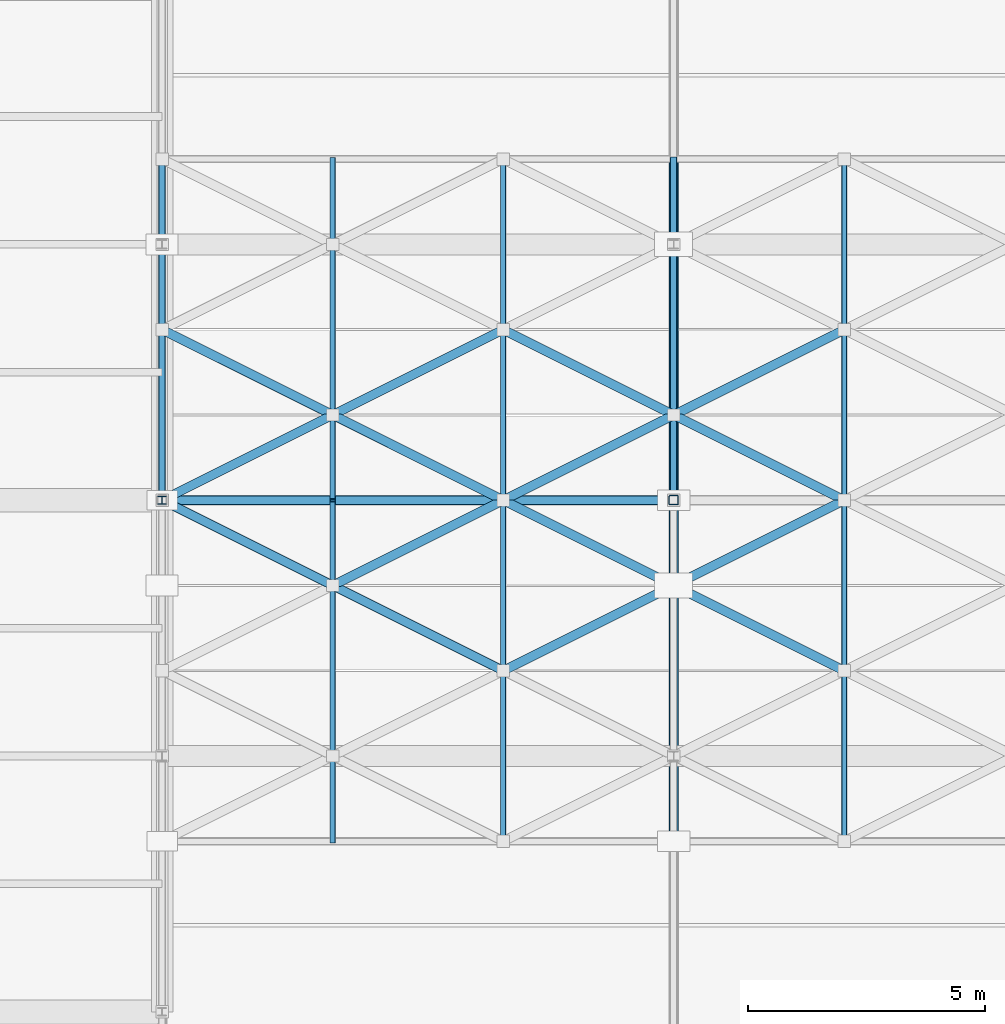
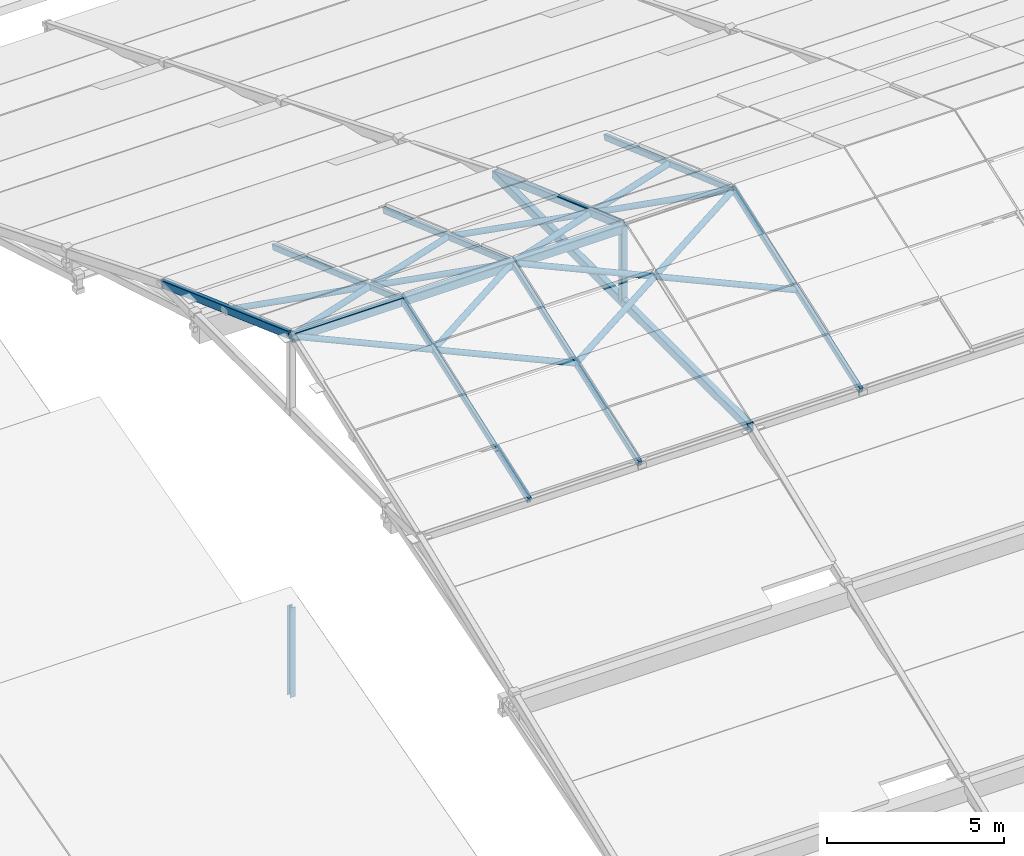
# One storey, part 40 of 112: 27 members.
"""IFC4 building model written with IfcOpenShell, lengths in metres."""

import ifcopenshell
import ifcopenshell.guid

model = None  # the IFC model being written
_history = None  # IfcOwnerHistory: only IFC2X3 demands one
_inside = {}  # id of a spatial element -> (the spatial element, [elements in it])
_under = {}  # id of a project, library or spatial element -> (it, [spatial elements below it])
_declared = {}  # id of a project -> (the project, [libraries it declares])
_typed = {}  # id of a type object -> (the type object, [elements of that type])
_made_of = {}  # id of a material, layer set ... -> (it, [elements and type objects made of it])


def new_model(schema):
    """Start an empty IFC model of exactly this schema.

    Asked for "IFC4X3", IfcOpenShell would pick the latest addendum, in which some entities
    have other attributes; the version numbers below select the first issue.
    IFC2X3 requires an IfcOwnerHistory on every rooted entity: one is made here for all.
    """
    global model, _history
    if schema == "IFC4X3":
        model = ifcopenshell.file(schema_version=(4, 3, 0, 0))
    else:
        model = ifcopenshell.file(schema=schema)
    _inside.clear()
    _under.clear()
    _declared.clear()
    _typed.clear()
    _made_of.clear()
    _history = None
    if model.schema == "IFC2X3":
        org = make("IfcOrganization", Name="unknown")
        user = make(
            "IfcPersonAndOrganization",
            ThePerson=make("IfcPerson", FamilyName="unknown"),
            TheOrganization=org,
        )
        app = make(
            "IfcApplication",
            ApplicationDeveloper=org,
            Version="unknown",
            ApplicationFullName="unknown",
            ApplicationIdentifier="unknown",
        )
        _history = make(
            "IfcOwnerHistory",
            OwningUser=user,
            OwningApplication=app,
            ChangeAction="ADDED",
            CreationDate=0,
        )
    return model


def make(cls, **values):
    """One entity of the class cls with the attributes given. An attribute that is None is left unset."""
    return model.create_entity(
        cls, **{name: value for name, value in values.items() if value is not None}
    )


def rooted(cls, **values):
    """An entity with a GlobalId (a new one), such as an element, a storey or a relation."""
    return make(cls, GlobalId=ifcopenshell.guid.new(), OwnerHistory=_history, **values)


def si_unit(unit_type, name, prefix=None):
    """IfcSIUnit, for example si_unit("LENGTHUNIT", "METRE", prefix="MILLI")."""
    return make("IfcSIUnit", UnitType=unit_type, Prefix=prefix, Name=name)


def assignment(units):
    """IfcUnitAssignment: the units of a project."""
    return None if units is None else make("IfcUnitAssignment", Units=units)


def point(xyz):
    """IfcCartesianPoint."""
    return None if xyz is None else make("IfcCartesianPoint", Coordinates=xyz)


def direction(xyz):
    """IfcDirection."""
    return None if xyz is None else make("IfcDirection", DirectionRatios=xyz)


def frame(location, z_axis=None, x_axis=None):
    """IfcAxis2Placement3D, a coordinate frame: its origin and axes. An axis left out is left unset."""
    return make(
        "IfcAxis2Placement3D",
        Location=point(location),
        Axis=direction(z_axis),
        RefDirection=direction(x_axis),
    )


def frame_2d(location, x_axis=None):
    """IfcAxis2Placement2D, a coordinate frame in the plane: its origin and x axis."""
    return make(
        "IfcAxis2Placement2D", Location=point(location), RefDirection=direction(x_axis)
    )


def origin():
    """The frame at (0, 0, 0) with its axes left unset."""
    return frame((0.0, 0.0, 0.0))


def origin_2d():
    """The frame at (0, 0) in the plane with its x axis left unset."""
    return frame_2d((0.0, 0.0))


def place(relative_to, where):
    """IfcLocalPlacement: puts the frame where relative to a parent placement (None: the world)."""
    return make(
        "IfcLocalPlacement", PlacementRelTo=relative_to, RelativePlacement=where
    )


def context(
    kind, dimensions, precision=None, world=None, true_north=None, identifier=None
):
    """IfcGeometricRepresentationContext, for example the 3D "Model" context."""
    return make(
        "IfcGeometricRepresentationContext",
        ContextIdentifier=identifier,
        ContextType=kind,
        CoordinateSpaceDimension=dimensions,
        Precision=precision,
        WorldCoordinateSystem=world,
        TrueNorth=true_north,
    )


def subcontext(parent, identifier, kind, view, scale=None):
    """IfcGeometricRepresentationSubContext, for example "Body" below "Model"."""
    return make(
        "IfcGeometricRepresentationSubContext",
        ContextIdentifier=identifier,
        ContextType=kind,
        ParentContext=parent,
        TargetScale=scale,
        TargetView=view,
    )


def project(units=None, contexts=None):
    """IfcProject with its units and contexts."""
    return rooted(
        "IfcProject",
        Name="project",
        RepresentationContexts=contexts,
        UnitsInContext=assignment(units),
    )


def spatial(cls, under=None, at=None, **own):
    """A site, building, storey or space (cls), placed at a placement, below another one or the project."""
    s = rooted(cls, ObjectPlacement=at, **own)
    if under is not None:
        _under.setdefault(under.id(), (under, []))[1].append(s)
    return s


def profile(cls, at=None, kind="AREA", **sizes):
    """A parametric profile (cls). Its sizes go by their IFC names, for example OverallWidth=200.0."""
    return make(cls, ProfileType=kind, Position=at, **sizes)


def hollow_rectangle(**sizes):
    """IfcRectangleHollowProfileDef."""
    return profile("IfcRectangleHollowProfileDef", **sizes)


def hollow_circle(**sizes):
    """IfcCircleHollowProfileDef."""
    return profile("IfcCircleHollowProfileDef", **sizes)


def i_section(**sizes):
    """IfcIShapeProfileDef."""
    return profile("IfcIShapeProfileDef", **sizes)


def extrude(swept, where, along, depth):
    """IfcExtrudedAreaSolid: the profile swept, set in the frame where, extruded along a direction by depth."""
    return make(
        "IfcExtrudedAreaSolid",
        SweptArea=swept,
        Position=where,
        ExtrudedDirection=direction(along),
        Depth=depth,
    )


def shape(context_of_items, identifier, shape_type, items):
    """IfcShapeRepresentation: the items that make up one representation, for example the "Body"."""
    return make(
        "IfcShapeRepresentation",
        ContextOfItems=context_of_items,
        RepresentationIdentifier=identifier,
        RepresentationType=shape_type,
        Items=items,
    )


def material(Name=None, Category=None):
    """IfcMaterial."""
    return make("IfcMaterial", Name=Name, Category=Category)


def material_profile(
    of_material, cross_section, Name=None, Category=None, Priority=None
):
    """IfcMaterialProfile: a cross section and its material."""
    return make(
        "IfcMaterialProfile",
        Name=Name,
        Material=of_material,
        Profile=cross_section,
        Priority=Priority,
        Category=Category,
    )


def profile_set(profiles, Name=None, composite=None):
    """IfcMaterialProfileSet."""
    return make(
        "IfcMaterialProfileSet",
        Name=Name,
        MaterialProfiles=profiles,
        CompositeProfile=composite,
    )


def made_of(thing, what):
    """Note that an element or type object is made of a material, layer set ...; save() writes the relation."""
    if what is not None:
        _made_of.setdefault(what.id(), (what, []))[1].append(thing)
    return thing


def type_object(cls, material=None, **own):
    """A type object (cls), such as IfcWallType, which elements share."""
    return made_of(rooted(cls, **own), material)


def element(
    cls,
    number,
    at=None,
    inside=None,
    cuts=None,
    type_object=None,
    material=None,
    context=None,
    identifier="Body",
    shape_type=None,
    held_by="IfcProductDefinitionShape",
    body=None,
    shapes=None,
    **own,
):
    """One element of the class cls, such as IfcWall. Its Tag is "e" and its number.

    at: its placement. inside: the storey or other place that contains it. cuts: it is an
    opening in that element (IfcRelVoidsElement). A single representation is given by context,
    identifier, shape_type and body (its items); several are given by shapes. held_by: the class
    of the entity that holds the representations. save() writes the other relations.
    """
    e = rooted(cls, Tag="e%d" % number, ObjectPlacement=at, **own)
    if body is not None:
        shapes = [shape(context, identifier, shape_type, body)]
    if shapes is not None:
        e.Representation = make(held_by, Representations=shapes)
    if inside is not None:
        _inside.setdefault(inside.id(), (inside, []))[1].append(e)
    if cuts is not None:
        rooted(
            "IfcRelVoidsElement", RelatingBuildingElement=cuts, RelatedOpeningElement=e
        )
    if type_object is not None:
        _typed.setdefault(type_object.id(), (type_object, []))[1].append(e)
    return made_of(e, material)


def aggregate(whole, parts):
    """IfcRelAggregates: a whole, such as a stair, and the parts it consists of."""
    return rooted("IfcRelAggregates", RelatingObject=whole, RelatedObjects=parts)


def save(model, path):
    """Write the relations noted so far, then the file.

    IfcRelAggregates (storeys below a building ...), IfcRelContainedInSpatialStructure (elements
    in a storey), IfcRelDefinesByType, IfcRelAssociatesMaterial and IfcRelDeclares: one each for
    every whole, place, type object, material and project.
    """
    for whole, parts in _under.values():
        aggregate(whole, parts)
    for where, things in _inside.values():
        rooted(
            "IfcRelContainedInSpatialStructure",
            RelatedElements=things,
            RelatingStructure=where,
        )
    for kind, things in _typed.values():
        rooted("IfcRelDefinesByType", RelatedObjects=things, RelatingType=kind)
    for what, things in _made_of.values():
        rooted("IfcRelAssociatesMaterial", RelatedObjects=things, RelatingMaterial=what)
    for by, libraries in _declared.values():
        rooted("IfcRelDeclares", RelatingContext=by, RelatedDefinitions=libraries)
    model.write(path)


model = new_model("IFC4")

# Units and contexts
model_context = context("Model", 3, precision=1e-05, world=origin(), true_north=direction((0.0, 1.0)))
body_context = subcontext(model_context, "Body", "Model", "MODEL_VIEW")
ifc_project = project(units=[si_unit("LENGTHUNIT", "METRE"), si_unit("AREAUNIT", "SQUARE_METRE"), si_unit("VOLUMEUNIT", "CUBIC_METRE"), si_unit("PLANEANGLEUNIT", "RADIAN"), si_unit("MASSUNIT", "GRAM", prefix="KILO")], contexts=[model_context])

# Site, building, storey
site_placement = place(None, origin())
site = spatial("IfcSite", under=ifc_project, at=site_placement, CompositionType="ELEMENT")
building_placement = place(site_placement, origin())
building = spatial("IfcBuilding", under=site, at=building_placement, Name="Zwinboog Wholesale Market", CompositionType="ELEMENT")
storey_placement = place(building_placement, frame((0.0, 0.0, 19.080078125)))
storey = spatial("IfcBuildingStorey", under=building, at=storey_placement, Name="Roof", CompositionType="ELEMENT", Elevation=19.080078125)

# Members
ifc_material = material(Name="Steel S355", Category="steel")
ifc_material_profile_1 = material_profile(ifc_material, hollow_rectangle(XDim=0.199951171875, YDim=0.300048828125, WallThickness=0.012451171875, InnerFilletRadius=0.012451171875, OuterFilletRadius=0.02490234375, at=origin_2d()), Name="RHS 300x200x12.5")
ifc_profile_set_1 = profile_set([ifc_material_profile_1], Name="Steel S355")
member_type_1 = type_object("IfcMemberType", Name="MT-01", PredefinedType="CHORD", material=ifc_profile_set_1)
member_1_placement = place(storey_placement, frame((75.60009765625, 68.39990234375, 0.619873046875), z_axis=(0.0, 1.0, 0.0), x_axis=(-1.0, 0.0, 0.0)))
element("IfcMember", 1, at=member_1_placement, inside=storey, type_object=member_type_1, Name="DC-01 (MEM-Roof-0057)", PredefinedType="CHORD", context=body_context, shape_type="SweptSolid", body=[
    extrude(hollow_rectangle(XDim=0.199951171875, YDim=0.300048828125, WallThickness=0.012451171875, InnerFilletRadius=0.012451171875, OuterFilletRadius=0.02490234375, at=origin_2d()), origin(), (0.0, 0.0, 1.0), 14.400146484375),
])
member_2_placement = place(storey_placement, frame((64.800048828125, 75.60009765625, 3.139892578125), z_axis=(1.0, 0.0, 0.0), x_axis=(0.0, 1.0, 0.0)))
element("IfcMember", 2, at=member_2_placement, inside=storey, type_object=member_type_1, Name="DC-01 (MEM-Roof-0331)", PredefinedType="CHORD", context=body_context, shape_type="SweptSolid", body=[
    extrude(hollow_rectangle(XDim=0.199951171875, YDim=0.300048828125, WallThickness=0.012451171875, InnerFilletRadius=0.012451171875, OuterFilletRadius=0.02490234375, at=origin_2d()), origin(), (0.0, 0.0, 1.0), 10.800048828125),
])
ifc_material_profile_2 = material_profile(ifc_material, hollow_rectangle(XDim=0.14990234375, YDim=0.25, WallThickness=0.010009765625, InnerFilletRadius=0.010009765625, OuterFilletRadius=0.02001953125, at=origin_2d()), Name="RHS 250x150x10")
ifc_profile_set_2 = profile_set([ifc_material_profile_2], Name="Steel S355")
member_type_2 = type_object("IfcMemberType", Name="MT-02", PredefinedType="CHORD", material=ifc_profile_set_2)
for number, where, z_axis, x_axis, name in (
    (3, (64.800048828125, 82.800048828125, 0.619873046875), (0.0, -0.940549088473, 0.339657786858), (1.0, 0.0, 0.0), "DC-02 (MEM-Roof-0030)"),
    (4, (75.60009765625, 82.800048828125, 0.619873046875), (0.0, -0.940549088473, 0.339657786858), (1.0, 0.0, 0.0), "DC-02 (MEM-Roof-0060)"),
):
    element("IfcMember", number, at=place(storey_placement, frame(where, z_axis=z_axis, x_axis=x_axis)), inside=storey, type_object=member_type_2, Name=name, PredefinedType="CHORD", context=body_context, shape_type="SweptSolid", body=[
        extrude(hollow_rectangle(XDim=0.14990234375, YDim=0.25, WallThickness=0.010009765625, InnerFilletRadius=0.010009765625, OuterFilletRadius=0.02001953125, at=origin_2d()), origin(), (0.0, 0.0, 1.0), 7.655029296875),
    ])
ifc_material_profile_3 = material_profile(ifc_material, hollow_rectangle(XDim=0.1201171875, YDim=0.199951171875, WallThickness=0.008056640625, InnerFilletRadius=0.008056640625, OuterFilletRadius=0.01611328125, at=origin_2d()), Name="RHS 200x120x8")
ifc_profile_set_3 = profile_set([ifc_material_profile_3], Name="Steel S355")
member_type_3 = type_object("IfcMemberType", Name="MT-03", PredefinedType="CHORD", material=ifc_profile_set_3)
member_3_placement = place(storey_placement, frame((68.39990234375, 68.39990234375, 0.6298828125), z_axis=(0.0, 0.942628063348, 0.333844775589), x_axis=(-1.0, 0.0, 0.0)))
element("IfcMember", 5, at=member_3_placement, inside=storey, type_object=member_type_3, Name="DC-03 (MEM-Roof-0371)", PredefinedType="CHORD", context=body_context, shape_type="SweptSolid", body=[
    extrude(hollow_rectangle(XDim=0.1201171875, YDim=0.199951171875, WallThickness=0.008056640625, InnerFilletRadius=0.008056640625, OuterFilletRadius=0.01611328125, at=origin_2d()), origin(), (0.0, 0.0, 1.0), 7.638427734375),
])
member_4_placement = place(storey_placement, frame((68.39990234375, 82.800048828125, 0.6298828125), z_axis=(0.0, -0.94262450093, 0.333854834092), x_axis=(1.0, 0.0, 0.0)))
element("IfcMember", 6, at=member_4_placement, inside=storey, type_object=member_type_3, Name="DC-03 (MEM-Roof-0372)", PredefinedType="CHORD", context=body_context, shape_type="SweptSolid", body=[
    extrude(hollow_rectangle(XDim=0.1201171875, YDim=0.199951171875, WallThickness=0.008056640625, InnerFilletRadius=0.008056640625, OuterFilletRadius=0.01611328125, at=origin_2d()), origin(), (0.0, 0.0, 1.0), 7.63818359375),
])
member_5_placement = place(storey_placement, frame((72.0, 68.39990234375, 0.6298828125), z_axis=(0.0, 0.942628063348, 0.333844775589), x_axis=(-1.0, 0.0, 0.0)))
element("IfcMember", 7, at=member_5_placement, inside=storey, type_object=member_type_3, Name="DC-03 (MEM-Roof-0381)", PredefinedType="CHORD", context=body_context, shape_type="SweptSolid", body=[
    extrude(hollow_rectangle(XDim=0.1201171875, YDim=0.199951171875, WallThickness=0.008056640625, InnerFilletRadius=0.008056640625, OuterFilletRadius=0.01611328125, at=origin_2d()), origin(), (0.0, 0.0, 1.0), 7.638427734375),
])
member_6_placement = place(storey_placement, frame((72.0, 82.800048828125, 0.6298828125), z_axis=(0.0, -0.94262450093, 0.333854834092), x_axis=(1.0, 0.0, 0.0)))
element("IfcMember", 8, at=member_6_placement, inside=storey, type_object=member_type_3, Name="DC-03 (MEM-Roof-0382)", PredefinedType="CHORD", context=body_context, shape_type="SweptSolid", body=[
    extrude(hollow_rectangle(XDim=0.1201171875, YDim=0.199951171875, WallThickness=0.008056640625, InnerFilletRadius=0.008056640625, OuterFilletRadius=0.01611328125, at=origin_2d()), origin(), (0.0, 0.0, 1.0), 7.63818359375),
])
member_7_placement = place(storey_placement, frame((79.199951171875, 68.39990234375, 0.6298828125), z_axis=(0.0, 0.942628063348, 0.333844775589), x_axis=(-1.0, 0.0, 0.0)))
element("IfcMember", 9, at=member_7_placement, inside=storey, type_object=member_type_3, Name="DC-03 (MEM-Roof-0401)", PredefinedType="CHORD", context=body_context, shape_type="SweptSolid", body=[
    extrude(hollow_rectangle(XDim=0.1201171875, YDim=0.199951171875, WallThickness=0.008056640625, InnerFilletRadius=0.008056640625, OuterFilletRadius=0.01611328125, at=origin_2d()), origin(), (0.0, 0.0, 1.0), 7.638427734375),
])
member_8_placement = place(storey_placement, frame((79.199951171875, 82.800048828125, 0.6298828125), z_axis=(0.0, -0.94262450093, 0.333854834092), x_axis=(1.0, 0.0, 0.0)))
element("IfcMember", 10, at=member_8_placement, inside=storey, type_object=member_type_3, Name="DC-03 (MEM-Roof-0402)", PredefinedType="CHORD", context=body_context, shape_type="SweptSolid", body=[
    extrude(hollow_rectangle(XDim=0.1201171875, YDim=0.199951171875, WallThickness=0.008056640625, InnerFilletRadius=0.008056640625, OuterFilletRadius=0.01611328125, at=origin_2d()), origin(), (0.0, 0.0, 1.0), 7.63818359375),
])
ifc_material_profile_4 = material_profile(ifc_material, hollow_rectangle(XDim=0.199951171875, YDim=0.199951171875, WallThickness=0.010009765625, InnerFilletRadius=0.010009765625, OuterFilletRadius=0.02001953125, at=origin_2d()), Name="SHS 200x200x10")
ifc_profile_set_4 = profile_set([ifc_material_profile_4], Name="Steel S355")
member_type_4 = type_object("IfcMemberType", Name="MT-04", PredefinedType="BRACE", material=ifc_profile_set_4)
member_9_placement = place(storey_placement, frame((75.60009765625, 75.60009765625, 0.619873046875), z_axis=(0.0, 0.0, 1.0), x_axis=(1.0, 0.0, 0.0)))
element("IfcMember", 11, at=member_9_placement, inside=storey, type_object=member_type_4, Name="DB-01 (MEM-Roof-0058)", PredefinedType="BRACE", context=body_context, shape_type="SweptSolid", body=[
    extrude(hollow_rectangle(XDim=0.199951171875, YDim=0.199951171875, WallThickness=0.010009765625, InnerFilletRadius=0.010009765625, OuterFilletRadius=0.02001953125, at=origin_2d()), origin(), (0.0, 0.0, 1.0), 2.60009765625),
])
ifc_material_profile_5 = material_profile(ifc_material, hollow_circle(Radius=0.096923828125, WallThickness=0.010009765625, at=origin_2d()), Name="CHS 193.7x10")
ifc_profile_set_5 = profile_set([ifc_material_profile_5], Name="Steel S355")
member_type_5 = type_object("IfcMemberType", Name="MT-06", PredefinedType="BRACE", material=ifc_profile_set_5)
for number, where, z_axis, x_axis, name in (
    (12, (64.800048828125, 75.60009765625, 3.179931640625), (0.883403888637, -0.441731900368, -0.15643048852), (0.447237858884, 0.894415058897, 0.0), "DB-03 (MEM-Roof-0366)"),
    (13, (64.800048828125, 75.60009765625, 3.179931640625), (0.883427267339, 0.441683676827, -0.15643462835), (-0.447189331129, 0.894439322774, 0.0), "DB-03 (MEM-Roof-0367)"),
    (14, (64.800048828125, 79.199951171875, 1.905029296875), (0.883403888637, -0.441731900368, 0.15643048852), (0.447237858884, 0.894415058897, 0.0), "DB-03 (MEM-Roof-0368)"),
):
    element("IfcMember", number, at=place(storey_placement, frame(where, z_axis=z_axis, x_axis=x_axis)), inside=storey, type_object=member_type_5, Name=name, PredefinedType="BRACE", context=body_context, shape_type="SweptSolid", body=[
        extrude(hollow_circle(Radius=0.096923828125, WallThickness=0.010009765625, at=origin_2d()), origin(), (0.0, 0.0, 1.0), 4.074951171875),
    ])
for number, where, z_axis, x_axis, name in (
    (15, (68.39990234375, 73.800048828125, 2.54248046875), (0.883417044144, -0.441708522072, -0.156422209566), (0.4472135955, 0.894427191, 0.0), "DB-03 (MEM-Roof-0375)"),
    (16, (68.39990234375, 73.800048828125, 2.54248046875), (0.883417044144, 0.441708522072, 0.156422209566), (-0.4472135955, 0.894427191, 0.0), "DB-03 (MEM-Roof-0376)"),
    (17, (68.39990234375, 77.39990234375, 2.54248046875), (0.883440420719, -0.441660299847, 0.156426348738), (0.447165069061, 0.894451452574, 0.0), "DB-03 (MEM-Roof-0377)"),
    (18, (68.39990234375, 77.39990234375, 2.54248046875), (0.883417044144, 0.441708522072, -0.156422209566), (-0.4472135955, 0.894427191, 0.0), "DB-03 (MEM-Roof-0378)"),
    (19, (72.0, 72.0, 1.905029296875), (0.883417044144, 0.441708522072, 0.156422209566), (-0.4472135955, 0.894427191, 0.0), "DB-03 (MEM-Roof-0385)"),
    (20, (72.0, 75.60009765625, 3.179931640625), (0.883417044144, -0.441708522072, -0.156422209566), (0.4472135955, 0.894427191, 0.0), "DB-03 (MEM-Roof-0386)"),
    (21, (72.0, 75.60009765625, 3.179931640625), (0.883440420719, 0.441660299847, -0.156426348738), (-0.447165069061, 0.894451452574, 0.0), "DB-03 (MEM-Roof-0387)"),
    (22, (72.0, 79.199951171875, 1.905029296875), (0.883417044144, -0.441708522072, 0.156422209566), (0.4472135955, 0.894427191, 0.0), "DB-03 (MEM-Roof-0388)"),
):
    element("IfcMember", number, at=place(storey_placement, frame(where, z_axis=z_axis, x_axis=x_axis)), inside=storey, type_object=member_type_5, Name=name, PredefinedType="BRACE", context=body_context, shape_type="SweptSolid", body=[
        extrude(hollow_circle(Radius=0.096923828125, WallThickness=0.010009765625, at=origin_2d()), origin(), (0.0, 0.0, 1.0), 4.0751953125),
    ])
for number, where, z_axis, x_axis, name in (
    (23, (75.60009765625, 73.800048828125, 2.54248046875), (0.883403888637, -0.441731900368, -0.15643048852), (0.447237858884, 0.894415058897, 0.0), "DB-03 (MEM-Roof-0395)"),
    (24, (75.60009765625, 73.800048828125, 2.54248046875), (0.883403888637, 0.441731900368, 0.15643048852), (-0.447237858884, 0.894415058897, 0.0), "DB-03 (MEM-Roof-0396)"),
    (25, (75.60009765625, 77.39990234375, 2.54248046875), (0.883427267339, -0.441683676827, 0.15643462835), (0.447189331129, 0.894439322774, 0.0), "DB-03 (MEM-Roof-0397)"),
    (26, (75.60009765625, 77.39990234375, 2.54248046875), (0.883403888637, 0.441731900368, -0.15643048852), (-0.447237858884, 0.894415058897, 0.0), "DB-03 (MEM-Roof-0398)"),
):
    element("IfcMember", number, at=place(storey_placement, frame(where, z_axis=z_axis, x_axis=x_axis)), inside=storey, type_object=member_type_5, Name=name, PredefinedType="BRACE", context=body_context, shape_type="SweptSolid", body=[
        extrude(hollow_circle(Radius=0.096923828125, WallThickness=0.010009765625, at=origin_2d()), origin(), (0.0, 0.0, 1.0), 4.074951171875),
    ])
ifc_material_profile_6 = material_profile(ifc_material, i_section(OverallWidth=0.179931640625, OverallDepth=0.1708984375, WebThickness=0.006103515625, FlangeThickness=0.009521484375, FilletRadius=0.014892578125, at=origin_2d()), Name="HEA 180")
ifc_profile_set_6 = profile_set([ifc_material_profile_6], Name="Steel S355")
member_type_6 = type_object("IfcMemberType", Name="MT-07", PredefinedType="BRACE", material=ifc_profile_set_6)
member_10_placement = place(storey_placement, frame((64.800048828125, 75.60009765625, -9.2001953125), z_axis=(0.0, 0.0, 1.0), x_axis=(1.0, 0.0, 0.0)))
element("IfcMember", 27, at=member_10_placement, inside=storey, type_object=member_type_6, Name="DB-04 (MEM-Roof-0853)", PredefinedType="BRACE", context=body_context, shape_type="SweptSolid", body=[
    extrude(i_section(OverallWidth=0.179931640625, OverallDepth=0.1708984375, WebThickness=0.006103515625, FlangeThickness=0.009521484375, FilletRadius=0.014892578125, at=origin_2d()), origin(), (0.0, 0.0, 1.0), 3.0869140625),
])

save(model, "model.ifc")
